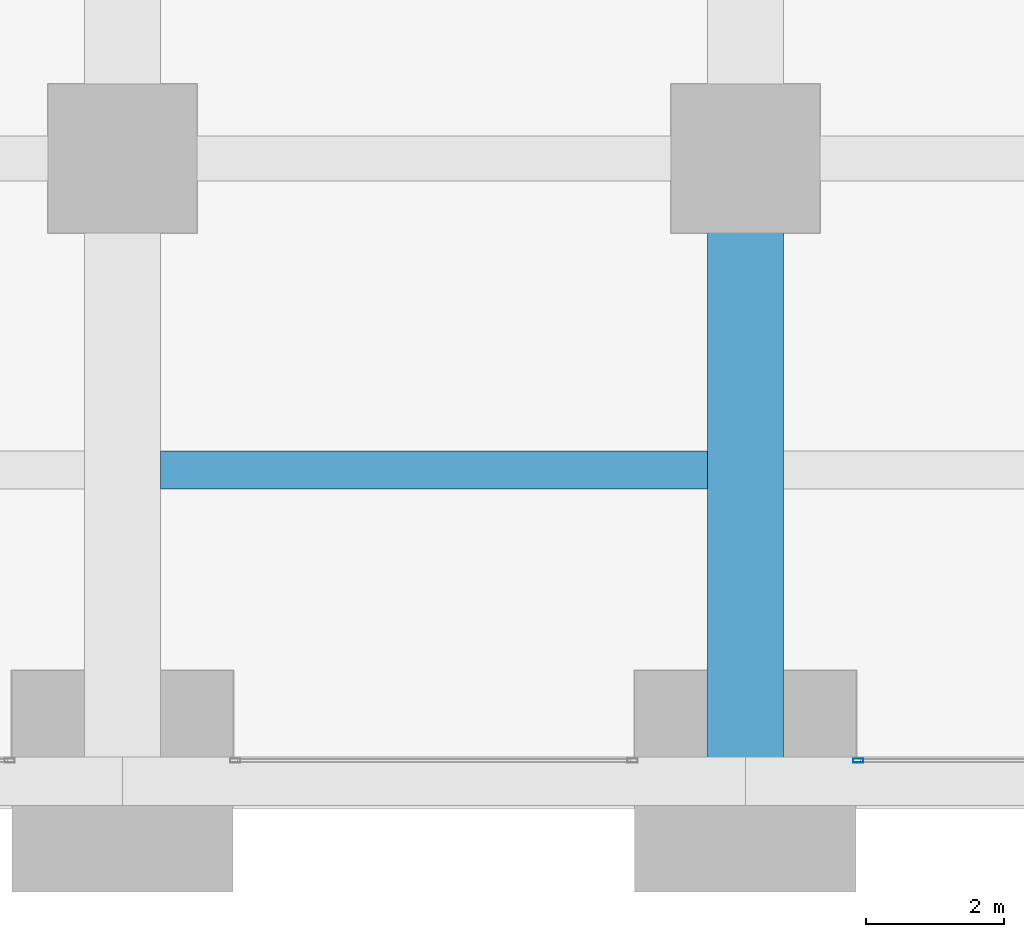
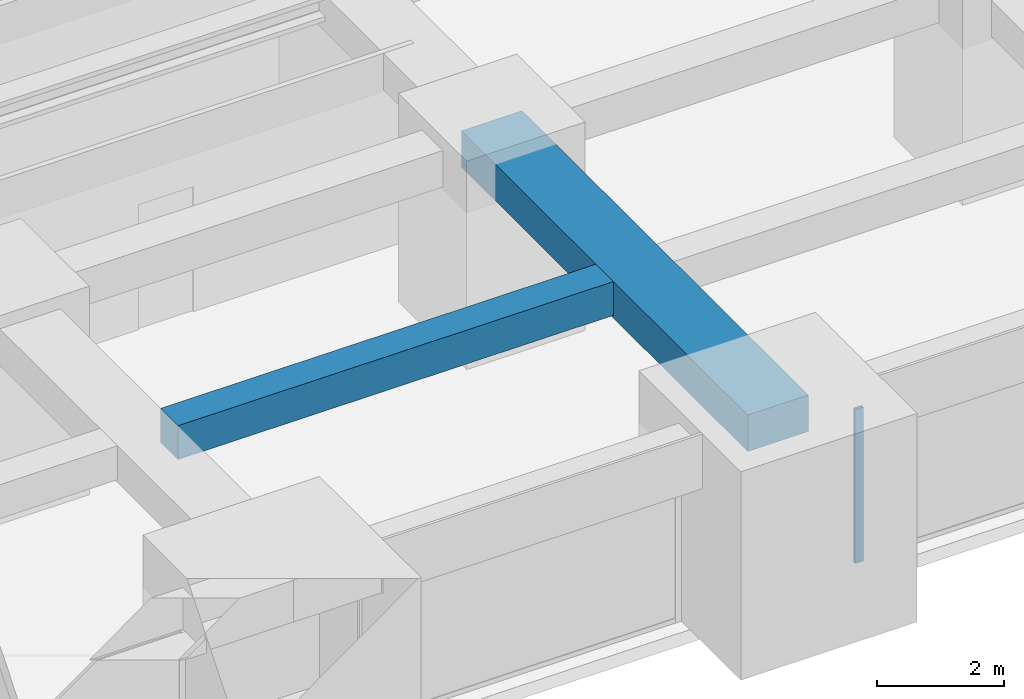
# One storey, part 14 of 41: 2 beams, 1 member, 1 element without a shape of its own.
"""IFC4 building model written with IfcOpenShell, lengths in metres."""

from ifc_helpers import new_model, si_unit, direction, frame, origin, origin_2d, place, context, subcontext, project, spatial, rectangle, hollow_rectangle, extrude, material, material_profile, profile_set, type_object, element, aggregate, save


model = new_model("IFC4")

# Units and contexts
model_context = context("Model", 3, precision=1e-05, world=origin(), true_north=direction((0.0, 1.0)))
body_context = subcontext(model_context, "Body", "Model", "MODEL_VIEW")
ifc_project = project(units=[si_unit("LENGTHUNIT", "METRE"), si_unit("AREAUNIT", "SQUARE_METRE"), si_unit("VOLUMEUNIT", "CUBIC_METRE"), si_unit("PLANEANGLEUNIT", "RADIAN"), si_unit("MASSUNIT", "GRAM", prefix="KILO")], contexts=[model_context])

# Site, building, storey
site_placement = place(None, origin())
site = spatial("IfcSite", under=ifc_project, at=site_placement, CompositionType="ELEMENT")
building_placement = place(site_placement, origin())
building = spatial("IfcBuilding", under=site, at=building_placement, Name="Zorevar Civic Tower", CompositionType="ELEMENT")
storey_placement = place(building_placement, frame((0.0, 0.0, 89.0)))
storey = spatial("IfcBuildingStorey", under=building, at=storey_placement, Name="L21", CompositionType="ELEMENT", Elevation=89.0)

# Beams
ifc_material_1 = material(Name="Concrete C50/60", Category="concrete")
ifc_material_profile_1 = material_profile(ifc_material_1, rectangle(XDim=1.10009765625, YDim=0.699951171875, at=origin_2d()), Name="RC 1100x700")
ifc_profile_set_1 = profile_set([ifc_material_profile_1], Name="Concrete C50/60")
beam_type_1 = type_object("IfcBeamType", Name="Beam RC 1100x700", PredefinedType="BEAM", material=ifc_profile_set_1)
beam_1_placement = place(storey_placement, frame((45.0, 0.0, 3.39990234375), z_axis=(0.0, 1.0, 0.0), x_axis=(-1.0, 0.0, 0.0)))
element("IfcBeam", 1, at=beam_1_placement, inside=storey, type_object=beam_type_1, Name="Girder L22", PredefinedType="BEAM", context=body_context, shape_type="SweptSolid", body=[
    extrude(rectangle(XDim=1.10009765625, YDim=0.699951171875, at=origin_2d()), origin(), (0.0, 0.0, 1.0), 9.0),
])
ifc_material_2 = material(Name="Concrete C50/60", Category="concrete")
ifc_material_profile_2 = material_profile(ifc_material_2, rectangle(XDim=0.550048828125, YDim=0.64990234375, at=origin_2d()), Name="RC 550x650")
ifc_profile_set_2 = profile_set([ifc_material_profile_2], Name="Concrete C50/60")
beam_type_2 = type_object("IfcBeamType", Name="Beam RC 550x650", PredefinedType="BEAM", material=ifc_profile_set_2)
beam_2_placement = place(storey_placement, frame((36.550048828125, 4.5, 3.425048828125), z_axis=(1.0, 0.0, 0.0), x_axis=(0.0, 1.0, 0.0)))
element("IfcBeam", 2, at=beam_2_placement, inside=storey, type_object=beam_type_2, Name="Secondary beam L22", PredefinedType="BEAM", context=body_context, shape_type="SweptSolid", body=[
    extrude(rectangle(XDim=0.550048828125, YDim=0.64990234375, at=origin_2d()), origin(), (0.0, 0.0, 1.0), 7.89990234375),
])

# Curtain wall, member
ifc_material_3 = material(Name="Dark grey solar-control glass in black aluminium frame", Category="aluminium")
curtain_wall_type = type_object("IfcCurtainWallType", Name="Curtain wall CW3 mid zone", PredefinedType="NOTDEFINED", material=ifc_material_3)
curtain_wall_placement = place(storey_placement, origin())
curtain_wall = element("IfcCurtainWall", 3, at=curtain_wall_placement, inside=storey, type_object=curtain_wall_type, Name="CW3 L21", PredefinedType="NOTDEFINED")
ifc_material_4 = material(Name="Aluminium, black anodised", Category="aluminium")
ifc_material_profile_3 = material_profile(ifc_material_4, hollow_rectangle(XDim=0.06005859375, YDim=0.14990234375, WallThickness=0.00390625, at=origin_2d()), Name="AL 150x60x4")
ifc_profile_set_3 = profile_set([ifc_material_profile_3], Name="Aluminium, black anodised")
member_type = type_object("IfcMemberType", Name="CW3 mullion AL 150x60x4", PredefinedType="MULLION", material=ifc_profile_set_3)
member_placement = place(storey_placement, frame((46.6298828125, 0.300048828125, 0.0), z_axis=(0.0, 0.0, 1.0), x_axis=(0.0, 1.0, 0.0)))
member = element("IfcMember", 4, at=member_placement, type_object=member_type, Name="CW3 mullion 1", PredefinedType="MULLION", context=body_context, shape_type="SweptSolid", body=[
    extrude(hollow_rectangle(XDim=0.06005859375, YDim=0.14990234375, WallThickness=0.00390625, at=origin_2d()), origin(), (0.0, 0.0, 1.0), 2.949951171875),
])
aggregate(curtain_wall, [member])

save(model, "model.ifc")
